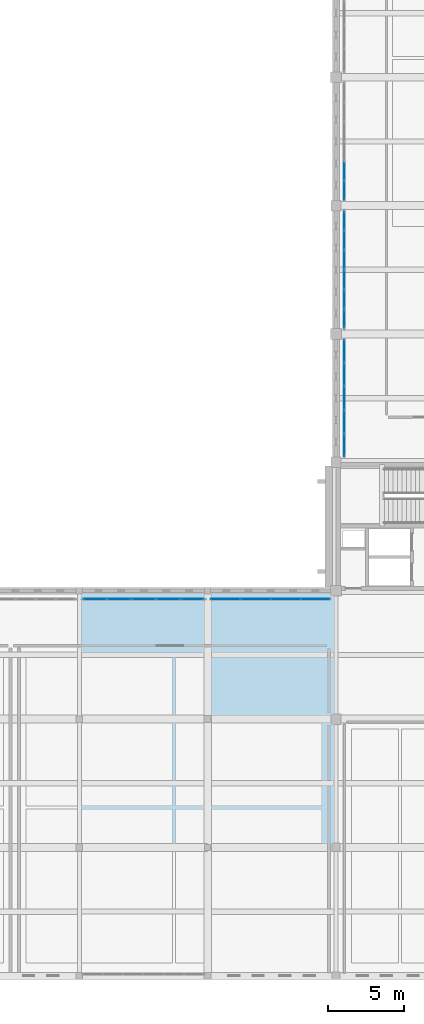
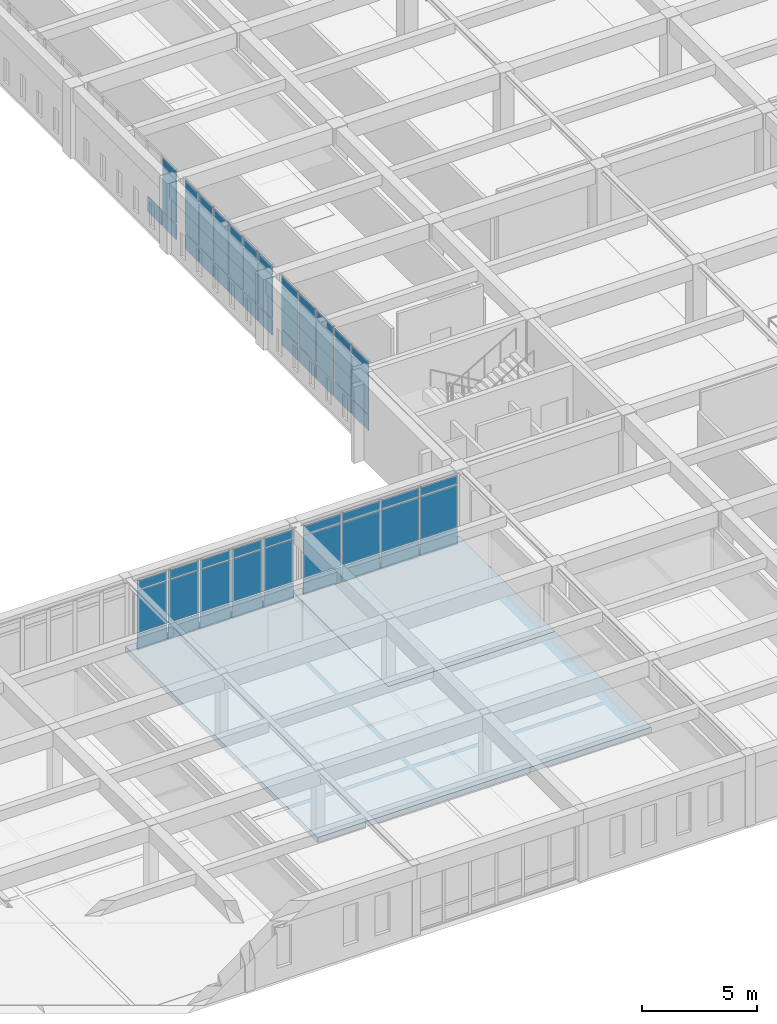
# One storey, part 56 of 110: 64 plates, 2 slabs, 5 elements without a shape of their own.
"""IFC4 building model written with IfcOpenShell, lengths in metres."""

from ifc_helpers import new_model, si_unit, direction, frame, origin, origin_2d, place, context, subcontext, project, spatial, polyline, rectangle, outline, extrude, material, layer, layer_set, type_object, element, aggregate, save


model = new_model("IFC4")

# Units and contexts
model_context = context("Model", 3, precision=1e-05, world=origin(), true_north=direction((0.0, 1.0)))
body_context = subcontext(model_context, "Body", "Model", "MODEL_VIEW")
ifc_project = project(units=[si_unit("LENGTHUNIT", "METRE"), si_unit("AREAUNIT", "SQUARE_METRE"), si_unit("VOLUMEUNIT", "CUBIC_METRE"), si_unit("PLANEANGLEUNIT", "RADIAN"), si_unit("MASSUNIT", "GRAM", prefix="KILO")], contexts=[model_context])

# Site, building, storey
site_placement = place(None, origin())
site = spatial("IfcSite", under=ifc_project, at=site_placement, CompositionType="ELEMENT")
building_placement = place(site_placement, origin())
building = spatial("IfcBuilding", under=site, at=building_placement, Name="Kveldsbrygga Polytechnic", CompositionType="ELEMENT")
storey_placement = place(building_placement, frame((0.0, 0.0, 9.860107421875)))
storey = spatial("IfcBuildingStorey", under=building, at=storey_placement, Name="L02", CompositionType="ELEMENT", Elevation=9.860107421875)

# Curtain wall, plates
ifc_material_1 = material(Name="Anodised aluminium AW-6060", Category="aluminium")
ifc_layer_1 = layer(ifc_material_1, 0.179931640625)
ifc_layer_set_1 = layer_set([ifc_layer_1], Name="Anodised aluminium AW-6060")
curtain_wall_type_1 = type_object("IfcCurtainWallType", Name="CW-LANC-D", PredefinedType="USERDEFINED", material=ifc_layer_set_1)
curtain_wall_1_placement = place(storey_placement, origin())
curtain_wall_1 = element("IfcCurtainWall", 1, at=curtain_wall_1_placement, inside=storey, type_object=curtain_wall_type_1, Name="Curtain Wall CW-L02-X-13-03", ObjectType="UNITISED CURTAIN WALL", PredefinedType="USERDEFINED")
ifc_material_2 = material(Name="Insulated triple low-E glass", Category="glass")
ifc_layer_2 = layer(ifc_material_2, 0.035888671875)
ifc_layer_set_2 = layer_set([ifc_layer_2], Name="Insulated triple low-E glass")
plate_type_1 = type_object("IfcPlateType", Name="CW-PAN-VIS36", PredefinedType="CURTAIN_PANEL", material=ifc_layer_set_2)
plate_1_placement = place(storey_placement, frame((110.229248046875, 24.64990234375, 0.059814453125), z_axis=(0.0, 0.0, 1.0), x_axis=(1.0, 0.0, 0.0)))
plate_1 = element("IfcPlate", 2, at=plate_1_placement, type_object=plate_type_1, Name="CW-04 panel 1.1", PredefinedType="CURTAIN_PANEL", context=body_context, shape_type="SweptSolid", body=[
    extrude(rectangle(XDim=1.488525390625, YDim=0.035888671875, at=origin_2d()), origin(), (0.0, 0.0, 1.0), 0.81005859375),
])
plate_2_placement = place(storey_placement, frame((110.229248046875, 24.64990234375, 0.929931640625), z_axis=(0.0, 0.0, 1.0), x_axis=(1.0, 0.0, 0.0)))
plate_2 = element("IfcPlate", 3, at=plate_2_placement, type_object=plate_type_1, Name="CW-04 panel 1.2", PredefinedType="CURTAIN_PANEL", context=body_context, shape_type="SweptSolid", body=[
    extrude(rectangle(XDim=1.488525390625, YDim=0.035888671875, at=origin_2d()), origin(), (0.0, 0.0, 1.0), 2.27001953125),
])
plate_3_placement = place(storey_placement, frame((110.229248046875, 24.64990234375, 3.260009765625), z_axis=(0.0, 0.0, 1.0), x_axis=(1.0, 0.0, 0.0)))
plate_3 = element("IfcPlate", 4, at=plate_3_placement, type_object=plate_type_1, Name="CW-04 panel 1.3", PredefinedType="CURTAIN_PANEL", context=body_context, shape_type="SweptSolid", body=[
    extrude(rectangle(XDim=1.488525390625, YDim=0.035888671875, at=origin_2d()), origin(), (0.0, 0.0, 1.0), 0.4599609375),
])
plate_4_placement = place(storey_placement, frame((111.8115234375, 24.64990234375, 0.059814453125), z_axis=(0.0, 0.0, 1.0), x_axis=(1.0, 0.0, 0.0)))
plate_4 = element("IfcPlate", 5, at=plate_4_placement, type_object=plate_type_1, Name="CW-04 panel 2.1", PredefinedType="CURTAIN_PANEL", context=body_context, shape_type="SweptSolid", body=[
    extrude(rectangle(XDim=1.52587890625, YDim=0.035888671875, at=origin_2d()), origin(), (0.0, 0.0, 1.0), 0.81005859375),
])
plate_5_placement = place(storey_placement, frame((111.8115234375, 24.64990234375, 0.929931640625), z_axis=(0.0, 0.0, 1.0), x_axis=(1.0, 0.0, 0.0)))
plate_5 = element("IfcPlate", 6, at=plate_5_placement, type_object=plate_type_1, Name="CW-04 panel 2.2", PredefinedType="CURTAIN_PANEL", context=body_context, shape_type="SweptSolid", body=[
    extrude(rectangle(XDim=1.52587890625, YDim=0.035888671875, at=origin_2d()), origin(), (0.0, 0.0, 1.0), 2.27001953125),
])
plate_6_placement = place(storey_placement, frame((111.8115234375, 24.64990234375, 3.260009765625), z_axis=(0.0, 0.0, 1.0), x_axis=(1.0, 0.0, 0.0)))
plate_6 = element("IfcPlate", 7, at=plate_6_placement, type_object=plate_type_1, Name="CW-04 panel 2.3", PredefinedType="CURTAIN_PANEL", context=body_context, shape_type="SweptSolid", body=[
    extrude(rectangle(XDim=1.52587890625, YDim=0.035888671875, at=origin_2d()), origin(), (0.0, 0.0, 1.0), 0.4599609375),
])
plate_7_placement = place(storey_placement, frame((113.41259765625, 24.64990234375, 0.059814453125), z_axis=(0.0, 0.0, 1.0), x_axis=(1.0, 0.0, 0.0)))
plate_7 = element("IfcPlate", 8, at=plate_7_placement, type_object=plate_type_1, Name="CW-04 panel 3.1", PredefinedType="CURTAIN_PANEL", context=body_context, shape_type="SweptSolid", body=[
    extrude(rectangle(XDim=1.52587890625, YDim=0.035888671875, at=origin_2d()), origin(), (0.0, 0.0, 1.0), 0.81005859375),
])
plate_8_placement = place(storey_placement, frame((113.41259765625, 24.64990234375, 0.929931640625), z_axis=(0.0, 0.0, 1.0), x_axis=(1.0, 0.0, 0.0)))
plate_8 = element("IfcPlate", 9, at=plate_8_placement, type_object=plate_type_1, Name="CW-04 panel 3.2", PredefinedType="CURTAIN_PANEL", context=body_context, shape_type="SweptSolid", body=[
    extrude(rectangle(XDim=1.52587890625, YDim=0.035888671875, at=origin_2d()), origin(), (0.0, 0.0, 1.0), 2.27001953125),
])
plate_9_placement = place(storey_placement, frame((113.41259765625, 24.64990234375, 3.260009765625), z_axis=(0.0, 0.0, 1.0), x_axis=(1.0, 0.0, 0.0)))
plate_9 = element("IfcPlate", 10, at=plate_9_placement, type_object=plate_type_1, Name="CW-04 panel 3.3", PredefinedType="CURTAIN_PANEL", context=body_context, shape_type="SweptSolid", body=[
    extrude(rectangle(XDim=1.52587890625, YDim=0.035888671875, at=origin_2d()), origin(), (0.0, 0.0, 1.0), 0.4599609375),
])
plate_10_placement = place(storey_placement, frame((115.013427734375, 24.64990234375, 0.059814453125), z_axis=(0.0, 0.0, 1.0), x_axis=(1.0, 0.0, 0.0)))
plate_10 = element("IfcPlate", 11, at=plate_10_placement, type_object=plate_type_1, Name="CW-04 panel 4.1", PredefinedType="CURTAIN_PANEL", context=body_context, shape_type="SweptSolid", body=[
    extrude(rectangle(XDim=1.52587890625, YDim=0.035888671875, at=origin_2d()), origin(), (0.0, 0.0, 1.0), 0.81005859375),
])
plate_11_placement = place(storey_placement, frame((115.013427734375, 24.64990234375, 0.929931640625), z_axis=(0.0, 0.0, 1.0), x_axis=(1.0, 0.0, 0.0)))
plate_11 = element("IfcPlate", 12, at=plate_11_placement, type_object=plate_type_1, Name="CW-04 panel 4.2", PredefinedType="CURTAIN_PANEL", context=body_context, shape_type="SweptSolid", body=[
    extrude(rectangle(XDim=1.52587890625, YDim=0.035888671875, at=origin_2d()), origin(), (0.0, 0.0, 1.0), 2.27001953125),
])
plate_12_placement = place(storey_placement, frame((115.013427734375, 24.64990234375, 3.260009765625), z_axis=(0.0, 0.0, 1.0), x_axis=(1.0, 0.0, 0.0)))
plate_12 = element("IfcPlate", 13, at=plate_12_placement, type_object=plate_type_1, Name="CW-04 panel 4.3", PredefinedType="CURTAIN_PANEL", context=body_context, shape_type="SweptSolid", body=[
    extrude(rectangle(XDim=1.52587890625, YDim=0.035888671875, at=origin_2d()), origin(), (0.0, 0.0, 1.0), 0.4599609375),
])
plate_13_placement = place(storey_placement, frame((116.595703125, 24.64990234375, 0.059814453125), z_axis=(0.0, 0.0, 1.0), x_axis=(1.0, 0.0, 0.0)))
plate_13 = element("IfcPlate", 14, at=plate_13_placement, type_object=plate_type_1, Name="CW-04 panel 5.1", PredefinedType="CURTAIN_PANEL", context=body_context, shape_type="SweptSolid", body=[
    extrude(rectangle(XDim=1.488525390625, YDim=0.035888671875, at=origin_2d()), origin(), (0.0, 0.0, 1.0), 0.81005859375),
])
plate_14_placement = place(storey_placement, frame((116.595703125, 24.64990234375, 0.929931640625), z_axis=(0.0, 0.0, 1.0), x_axis=(1.0, 0.0, 0.0)))
plate_14 = element("IfcPlate", 15, at=plate_14_placement, type_object=plate_type_1, Name="CW-04 panel 5.2", PredefinedType="CURTAIN_PANEL", context=body_context, shape_type="SweptSolid", body=[
    extrude(rectangle(XDim=1.488525390625, YDim=0.035888671875, at=origin_2d()), origin(), (0.0, 0.0, 1.0), 2.27001953125),
])
plate_15_placement = place(storey_placement, frame((116.595703125, 24.64990234375, 3.260009765625), z_axis=(0.0, 0.0, 1.0), x_axis=(1.0, 0.0, 0.0)))
plate_15 = element("IfcPlate", 16, at=plate_15_placement, type_object=plate_type_1, Name="CW-04 panel 5.3", PredefinedType="CURTAIN_PANEL", context=body_context, shape_type="SweptSolid", body=[
    extrude(rectangle(XDim=1.488525390625, YDim=0.035888671875, at=origin_2d()), origin(), (0.0, 0.0, 1.0), 0.4599609375),
])
aggregate(curtain_wall_1, [plate_1, plate_2, plate_3, plate_4, plate_5, plate_6, plate_7, plate_8, plate_9, plate_10, plate_11, plate_12, plate_13, plate_14, plate_15])

ifc_layer_3 = layer(ifc_material_1, 0.18994140625)
ifc_layer_set_3 = layer_set([ifc_layer_3], Name="Anodised aluminium AW-6060")
curtain_wall_type_2 = type_object("IfcCurtainWallType", Name="CW-REFC-G", PredefinedType="USERDEFINED", material=ifc_layer_set_3)
curtain_wall_2_placement = place(storey_placement, origin())
curtain_wall_2 = element("IfcCurtainWall", 17, at=curtain_wall_2_placement, inside=storey, type_object=curtain_wall_type_2, Name="Curtain Wall CW-L02-Y-15-04", ObjectType="UNITISED CURTAIN WALL", PredefinedType="USERDEFINED")
plate_16_placement = place(storey_placement, frame((126.550048828125, 34.7177734375, 0.059814453125), z_axis=(0.0, 0.0, 1.0), x_axis=(0.0, 1.0, 0.0)))
plate_16 = element("IfcPlate", 18, at=plate_16_placement, type_object=plate_type_1, Name="CW-07 panel 1.1", PredefinedType="CURTAIN_PANEL", context=body_context, shape_type="SweptSolid", body=[
    extrude(rectangle(XDim=1.435546875, YDim=0.035888671875, at=origin_2d()), origin(), (0.0, 0.0, 1.0), 0.81005859375),
])
plate_17_placement = place(storey_placement, frame((126.550048828125, 34.7177734375, 0.929931640625), z_axis=(0.0, 0.0, 1.0), x_axis=(0.0, 1.0, 0.0)))
plate_17 = element("IfcPlate", 19, at=plate_17_placement, type_object=plate_type_1, Name="CW-07 panel 1.2", PredefinedType="CURTAIN_PANEL", context=body_context, shape_type="SweptSolid", body=[
    extrude(rectangle(XDim=1.435546875, YDim=0.035888671875, at=origin_2d()), origin(), (0.0, 0.0, 1.0), 2.27001953125),
])
plate_18_placement = place(storey_placement, frame((126.550048828125, 34.7177734375, 3.260009765625), z_axis=(0.0, 0.0, 1.0), x_axis=(0.0, 1.0, 0.0)))
plate_18 = element("IfcPlate", 20, at=plate_18_placement, type_object=plate_type_1, Name="CW-07 panel 1.3", PredefinedType="CURTAIN_PANEL", context=body_context, shape_type="SweptSolid", body=[
    extrude(rectangle(XDim=1.435546875, YDim=0.035888671875, at=origin_2d()), origin(), (0.0, 0.0, 1.0), 0.4599609375),
])
plate_19_placement = place(storey_placement, frame((126.550048828125, 36.2470703125, 0.059814453125), z_axis=(0.0, 0.0, 1.0), x_axis=(0.0, 1.0, 0.0)))
plate_19 = element("IfcPlate", 21, at=plate_19_placement, type_object=plate_type_1, Name="CW-07 panel 2.1", PredefinedType="CURTAIN_PANEL", context=body_context, shape_type="SweptSolid", body=[
    extrude(rectangle(XDim=1.472900390625, YDim=0.035888671875, at=origin_2d()), origin(), (0.0, 0.0, 1.0), 0.81005859375),
])
plate_20_placement = place(storey_placement, frame((126.550048828125, 36.2470703125, 0.929931640625), z_axis=(0.0, 0.0, 1.0), x_axis=(0.0, 1.0, 0.0)))
plate_20 = element("IfcPlate", 22, at=plate_20_placement, type_object=plate_type_1, Name="CW-07 panel 2.2", PredefinedType="CURTAIN_PANEL", context=body_context, shape_type="SweptSolid", body=[
    extrude(rectangle(XDim=1.472900390625, YDim=0.035888671875, at=origin_2d()), origin(), (0.0, 0.0, 1.0), 2.27001953125),
])
plate_21_placement = place(storey_placement, frame((126.550048828125, 36.2470703125, 3.260009765625), z_axis=(0.0, 0.0, 1.0), x_axis=(0.0, 1.0, 0.0)))
plate_21 = element("IfcPlate", 23, at=plate_21_placement, type_object=plate_type_1, Name="CW-07 panel 2.3", PredefinedType="CURTAIN_PANEL", context=body_context, shape_type="SweptSolid", body=[
    extrude(rectangle(XDim=1.472900390625, YDim=0.035888671875, at=origin_2d()), origin(), (0.0, 0.0, 1.0), 0.4599609375),
])
plate_22_placement = place(storey_placement, frame((126.550048828125, 37.794921875, 0.059814453125), z_axis=(0.0, 0.0, 1.0), x_axis=(0.0, 1.0, 0.0)))
plate_22 = element("IfcPlate", 24, at=plate_22_placement, type_object=plate_type_1, Name="CW-07 panel 3.1", PredefinedType="CURTAIN_PANEL", context=body_context, shape_type="SweptSolid", body=[
    extrude(rectangle(XDim=1.472900390625, YDim=0.035888671875, at=origin_2d()), origin(), (0.0, 0.0, 1.0), 0.81005859375),
])
plate_23_placement = place(storey_placement, frame((126.550048828125, 37.794921875, 0.929931640625), z_axis=(0.0, 0.0, 1.0), x_axis=(0.0, 1.0, 0.0)))
plate_23 = element("IfcPlate", 25, at=plate_23_placement, type_object=plate_type_1, Name="CW-07 panel 3.2", PredefinedType="CURTAIN_PANEL", context=body_context, shape_type="SweptSolid", body=[
    extrude(rectangle(XDim=1.472900390625, YDim=0.035888671875, at=origin_2d()), origin(), (0.0, 0.0, 1.0), 2.27001953125),
])
plate_24_placement = place(storey_placement, frame((126.550048828125, 37.794921875, 3.260009765625), z_axis=(0.0, 0.0, 1.0), x_axis=(0.0, 1.0, 0.0)))
plate_24 = element("IfcPlate", 26, at=plate_24_placement, type_object=plate_type_1, Name="CW-07 panel 3.3", PredefinedType="CURTAIN_PANEL", context=body_context, shape_type="SweptSolid", body=[
    extrude(rectangle(XDim=1.472900390625, YDim=0.035888671875, at=origin_2d()), origin(), (0.0, 0.0, 1.0), 0.4599609375),
])
plate_25_placement = place(storey_placement, frame((126.550048828125, 39.343017578125, 0.059814453125), z_axis=(0.0, 0.0, 1.0), x_axis=(0.0, 1.0, 0.0)))
plate_25 = element("IfcPlate", 27, at=plate_25_placement, type_object=plate_type_1, Name="CW-07 panel 4.1", PredefinedType="CURTAIN_PANEL", context=body_context, shape_type="SweptSolid", body=[
    extrude(rectangle(XDim=1.472900390625, YDim=0.035888671875, at=origin_2d()), origin(), (0.0, 0.0, 1.0), 0.81005859375),
])
plate_26_placement = place(storey_placement, frame((126.550048828125, 39.343017578125, 0.929931640625), z_axis=(0.0, 0.0, 1.0), x_axis=(0.0, 1.0, 0.0)))
plate_26 = element("IfcPlate", 28, at=plate_26_placement, type_object=plate_type_1, Name="CW-07 panel 4.2", PredefinedType="CURTAIN_PANEL", context=body_context, shape_type="SweptSolid", body=[
    extrude(rectangle(XDim=1.472900390625, YDim=0.035888671875, at=origin_2d()), origin(), (0.0, 0.0, 1.0), 2.27001953125),
])
plate_27_placement = place(storey_placement, frame((126.550048828125, 39.343017578125, 3.260009765625), z_axis=(0.0, 0.0, 1.0), x_axis=(0.0, 1.0, 0.0)))
plate_27 = element("IfcPlate", 29, at=plate_27_placement, type_object=plate_type_1, Name="CW-07 panel 4.3", PredefinedType="CURTAIN_PANEL", context=body_context, shape_type="SweptSolid", body=[
    extrude(rectangle(XDim=1.472900390625, YDim=0.035888671875, at=origin_2d()), origin(), (0.0, 0.0, 1.0), 0.4599609375),
])
plate_28_placement = place(storey_placement, frame((126.550048828125, 40.872314453125, 0.059814453125), z_axis=(0.0, 0.0, 1.0), x_axis=(0.0, 1.0, 0.0)))
plate_28 = element("IfcPlate", 30, at=plate_28_placement, type_object=plate_type_1, Name="CW-07 panel 5.1", PredefinedType="CURTAIN_PANEL", context=body_context, shape_type="SweptSolid", body=[
    extrude(rectangle(XDim=1.435546875, YDim=0.035888671875, at=origin_2d()), origin(), (0.0, 0.0, 1.0), 0.81005859375),
])
plate_29_placement = place(storey_placement, frame((126.550048828125, 40.872314453125, 0.929931640625), z_axis=(0.0, 0.0, 1.0), x_axis=(0.0, 1.0, 0.0)))
plate_29 = element("IfcPlate", 31, at=plate_29_placement, type_object=plate_type_1, Name="CW-07 panel 5.2", PredefinedType="CURTAIN_PANEL", context=body_context, shape_type="SweptSolid", body=[
    extrude(rectangle(XDim=1.435546875, YDim=0.035888671875, at=origin_2d()), origin(), (0.0, 0.0, 1.0), 2.27001953125),
])
plate_30_placement = place(storey_placement, frame((126.550048828125, 40.872314453125, 3.260009765625), z_axis=(0.0, 0.0, 1.0), x_axis=(0.0, 1.0, 0.0)))
plate_30 = element("IfcPlate", 32, at=plate_30_placement, type_object=plate_type_1, Name="CW-07 panel 5.3", PredefinedType="CURTAIN_PANEL", context=body_context, shape_type="SweptSolid", body=[
    extrude(rectangle(XDim=1.435546875, YDim=0.035888671875, at=origin_2d()), origin(), (0.0, 0.0, 1.0), 0.4599609375),
])
aggregate(curtain_wall_2, [plate_16, plate_17, plate_18, plate_19, plate_20, plate_21, plate_22, plate_23, plate_24, plate_25, plate_26, plate_27, plate_28, plate_29, plate_30])

ifc_layer_4 = layer(ifc_material_1, 0.179931640625)
ifc_layer_set_4 = layer_set([ifc_layer_4], Name="Anodised aluminium AW-6060")
curtain_wall_type_3 = type_object("IfcCurtainWallType", Name="CW-CONC-A", PredefinedType="USERDEFINED", material=ifc_layer_set_4)
curtain_wall_3_placement = place(storey_placement, origin())
curtain_wall_3 = element("IfcCurtainWall", 33, at=curtain_wall_3_placement, inside=storey, type_object=curtain_wall_type_3, Name="Curtain Wall CW-L02-Y-15-06", ObjectType="UNITISED CURTAIN WALL", PredefinedType="USERDEFINED")
plate_31_placement = place(storey_placement, frame((126.550048828125, 51.385009765625, 0.059814453125), z_axis=(0.0, 0.0, 1.0), x_axis=(0.0, 1.0, 0.0)))
plate_31 = element("IfcPlate", 34, at=plate_31_placement, type_object=plate_type_1, Name="CW-01 panel 1.1", PredefinedType="CURTAIN_PANEL", context=body_context, shape_type="SweptSolid", body=[
    extrude(rectangle(XDim=1.199951171875, YDim=0.035888671875, at=origin_2d()), origin(), (0.0, 0.0, 1.0), 0.81005859375),
])
plate_32_placement = place(storey_placement, frame((126.550048828125, 51.385009765625, 0.929931640625), z_axis=(0.0, 0.0, 1.0), x_axis=(0.0, 1.0, 0.0)))
plate_32 = element("IfcPlate", 35, at=plate_32_placement, type_object=plate_type_1, Name="CW-01 panel 1.2", PredefinedType="CURTAIN_PANEL", context=body_context, shape_type="SweptSolid", body=[
    extrude(rectangle(XDim=1.199951171875, YDim=0.035888671875, at=origin_2d()), origin(), (0.0, 0.0, 1.0), 2.27001953125),
])
plate_33_placement = place(storey_placement, frame((126.550048828125, 51.385009765625, 3.260009765625), z_axis=(0.0, 0.0, 1.0), x_axis=(0.0, 1.0, 0.0)))
plate_33 = element("IfcPlate", 36, at=plate_33_placement, type_object=plate_type_1, Name="CW-01 panel 1.3", PredefinedType="CURTAIN_PANEL", context=body_context, shape_type="SweptSolid", body=[
    extrude(rectangle(XDim=1.199951171875, YDim=0.035888671875, at=origin_2d()), origin(), (0.0, 0.0, 1.0), 0.4599609375),
])
plate_34_placement = place(storey_placement, frame((126.550048828125, 52.659912109375, 0.059814453125), z_axis=(0.0, 0.0, 1.0), x_axis=(0.0, 1.0, 0.0)))
plate_34 = element("IfcPlate", 37, at=plate_34_placement, type_object=plate_type_1, Name="CW-01 panel 2.1", PredefinedType="CURTAIN_PANEL", context=body_context, shape_type="SweptSolid", body=[
    extrude(rectangle(XDim=1.22998046875, YDim=0.035888671875, at=origin_2d()), origin(), (0.0, 0.0, 1.0), 0.81005859375),
])
aggregate(curtain_wall_3, [plate_31, plate_32, plate_33, plate_34])

ifc_layer_5 = layer(ifc_material_1, 0.199951171875)
ifc_layer_set_5 = layer_set([ifc_layer_5], Name="Anodised aluminium AW-6060")
curtain_wall_type_4 = type_object("IfcCurtainWallType", Name="CW-LANC-E", PredefinedType="USERDEFINED", material=ifc_layer_set_5)
curtain_wall_4_placement = place(storey_placement, origin())
curtain_wall_4 = element("IfcCurtainWall", 38, at=curtain_wall_4_placement, inside=storey, type_object=curtain_wall_type_4, Name="Curtain Wall CW-L02-X-14-03", ObjectType="UNITISED CURTAIN WALL", PredefinedType="USERDEFINED")
ifc_layer_6 = layer(ifc_material_2, 0.0419921875)
ifc_layer_set_6 = layer_set([ifc_layer_6], Name="Insulated triple low-E glass")
plate_type_2 = type_object("IfcPlateType", Name="CW-PAN-VIS42", PredefinedType="CURTAIN_PANEL", material=ifc_layer_set_6)
plate_35_placement = place(storey_placement, frame((118.784912109375, 24.64990234375, 0.059814453125), z_axis=(0.0, 0.0, 1.0), x_axis=(1.0, 0.0, 0.0)))
plate_35 = element("IfcPlate", 39, at=plate_35_placement, type_object=plate_type_2, Name="CW-05 panel 1.1", PredefinedType="CURTAIN_PANEL", context=body_context, shape_type="SweptSolid", body=[
    extrude(rectangle(XDim=1.8798828125, YDim=0.0419921875, at=origin_2d()), origin(), (0.0, 0.0, 1.0), 0.81005859375),
])
plate_36_placement = place(storey_placement, frame((118.784912109375, 24.64990234375, 0.929931640625), z_axis=(0.0, 0.0, 1.0), x_axis=(1.0, 0.0, 0.0)))
plate_36 = element("IfcPlate", 40, at=plate_36_placement, type_object=plate_type_2, Name="CW-05 panel 1.2", PredefinedType="CURTAIN_PANEL", context=body_context, shape_type="SweptSolid", body=[
    extrude(rectangle(XDim=1.8798828125, YDim=0.0419921875, at=origin_2d()), origin(), (0.0, 0.0, 1.0), 2.27001953125),
])
plate_37_placement = place(storey_placement, frame((118.784912109375, 24.64990234375, 3.260009765625), z_axis=(0.0, 0.0, 1.0), x_axis=(1.0, 0.0, 0.0)))
plate_37 = element("IfcPlate", 41, at=plate_37_placement, type_object=plate_type_2, Name="CW-05 panel 1.3", PredefinedType="CURTAIN_PANEL", context=body_context, shape_type="SweptSolid", body=[
    extrude(rectangle(XDim=1.8798828125, YDim=0.0419921875, at=origin_2d()), origin(), (0.0, 0.0, 1.0), 0.4599609375),
])
plate_38_placement = place(storey_placement, frame((120.739990234375, 24.64990234375, 0.059814453125), z_axis=(0.0, 0.0, 1.0), x_axis=(1.0, 0.0, 0.0)))
plate_38 = element("IfcPlate", 42, at=plate_38_placement, type_object=plate_type_2, Name="CW-05 panel 2.1", PredefinedType="CURTAIN_PANEL", context=body_context, shape_type="SweptSolid", body=[
    extrude(rectangle(XDim=1.909912109375, YDim=0.0419921875, at=origin_2d()), origin(), (0.0, 0.0, 1.0), 0.81005859375),
])
plate_39_placement = place(storey_placement, frame((120.739990234375, 24.64990234375, 0.929931640625), z_axis=(0.0, 0.0, 1.0), x_axis=(1.0, 0.0, 0.0)))
plate_39 = element("IfcPlate", 43, at=plate_39_placement, type_object=plate_type_2, Name="CW-05 panel 2.2", PredefinedType="CURTAIN_PANEL", context=body_context, shape_type="SweptSolid", body=[
    extrude(rectangle(XDim=1.909912109375, YDim=0.0419921875, at=origin_2d()), origin(), (0.0, 0.0, 1.0), 2.27001953125),
])
plate_40_placement = place(storey_placement, frame((120.739990234375, 24.64990234375, 3.260009765625), z_axis=(0.0, 0.0, 1.0), x_axis=(1.0, 0.0, 0.0)))
plate_40 = element("IfcPlate", 44, at=plate_40_placement, type_object=plate_type_2, Name="CW-05 panel 2.3", PredefinedType="CURTAIN_PANEL", context=body_context, shape_type="SweptSolid", body=[
    extrude(rectangle(XDim=1.909912109375, YDim=0.0419921875, at=origin_2d()), origin(), (0.0, 0.0, 1.0), 0.4599609375),
])
plate_41_placement = place(storey_placement, frame((122.7099609375, 24.64990234375, 0.059814453125), z_axis=(0.0, 0.0, 1.0), x_axis=(1.0, 0.0, 0.0)))
plate_41 = element("IfcPlate", 45, at=plate_41_placement, type_object=plate_type_2, Name="CW-05 panel 3.1", PredefinedType="CURTAIN_PANEL", context=body_context, shape_type="SweptSolid", body=[
    extrude(rectangle(XDim=1.909912109375, YDim=0.0419921875, at=origin_2d()), origin(), (0.0, 0.0, 1.0), 0.81005859375),
])
plate_42_placement = place(storey_placement, frame((122.7099609375, 24.64990234375, 0.929931640625), z_axis=(0.0, 0.0, 1.0), x_axis=(1.0, 0.0, 0.0)))
plate_42 = element("IfcPlate", 46, at=plate_42_placement, type_object=plate_type_2, Name="CW-05 panel 3.2", PredefinedType="CURTAIN_PANEL", context=body_context, shape_type="SweptSolid", body=[
    extrude(rectangle(XDim=1.909912109375, YDim=0.0419921875, at=origin_2d()), origin(), (0.0, 0.0, 1.0), 2.27001953125),
])
plate_43_placement = place(storey_placement, frame((122.7099609375, 24.64990234375, 3.260009765625), z_axis=(0.0, 0.0, 1.0), x_axis=(1.0, 0.0, 0.0)))
plate_43 = element("IfcPlate", 47, at=plate_43_placement, type_object=plate_type_2, Name="CW-05 panel 3.3", PredefinedType="CURTAIN_PANEL", context=body_context, shape_type="SweptSolid", body=[
    extrude(rectangle(XDim=1.909912109375, YDim=0.0419921875, at=origin_2d()), origin(), (0.0, 0.0, 1.0), 0.4599609375),
])
plate_44_placement = place(storey_placement, frame((124.6650390625, 24.64990234375, 0.059814453125), z_axis=(0.0, 0.0, 1.0), x_axis=(1.0, 0.0, 0.0)))
plate_44 = element("IfcPlate", 48, at=plate_44_placement, type_object=plate_type_2, Name="CW-05 panel 4.1", PredefinedType="CURTAIN_PANEL", context=body_context, shape_type="SweptSolid", body=[
    extrude(rectangle(XDim=1.8798828125, YDim=0.0419921875, at=origin_2d()), origin(), (0.0, 0.0, 1.0), 0.81005859375),
])
plate_45_placement = place(storey_placement, frame((124.6650390625, 24.64990234375, 0.929931640625), z_axis=(0.0, 0.0, 1.0), x_axis=(1.0, 0.0, 0.0)))
plate_45 = element("IfcPlate", 49, at=plate_45_placement, type_object=plate_type_2, Name="CW-05 panel 4.2", PredefinedType="CURTAIN_PANEL", context=body_context, shape_type="SweptSolid", body=[
    extrude(rectangle(XDim=1.8798828125, YDim=0.0419921875, at=origin_2d()), origin(), (0.0, 0.0, 1.0), 2.27001953125),
])
plate_46_placement = place(storey_placement, frame((124.6650390625, 24.64990234375, 3.260009765625), z_axis=(0.0, 0.0, 1.0), x_axis=(1.0, 0.0, 0.0)))
plate_46 = element("IfcPlate", 50, at=plate_46_placement, type_object=plate_type_2, Name="CW-05 panel 4.3", PredefinedType="CURTAIN_PANEL", context=body_context, shape_type="SweptSolid", body=[
    extrude(rectangle(XDim=1.8798828125, YDim=0.0419921875, at=origin_2d()), origin(), (0.0, 0.0, 1.0), 0.4599609375),
])
aggregate(curtain_wall_4, [plate_35, plate_36, plate_37, plate_38, plate_39, plate_40, plate_41, plate_42, plate_43, plate_44, plate_45, plate_46])

ifc_layer_7 = layer(ifc_material_1, 0.2099609375)
ifc_layer_set_7 = layer_set([ifc_layer_7], Name="Anodised aluminium AW-6060")
curtain_wall_type_5 = type_object("IfcCurtainWallType", Name="CW-LIBR-H", PredefinedType="USERDEFINED", material=ifc_layer_set_7)
curtain_wall_5_placement = place(storey_placement, origin())
curtain_wall_5 = element("IfcCurtainWall", 51, at=curtain_wall_5_placement, inside=storey, type_object=curtain_wall_type_5, Name="Curtain Wall CW-L02-Y-15-05", ObjectType="UNITISED CURTAIN WALL", PredefinedType="USERDEFINED")
plate_47_placement = place(storey_placement, frame((126.550048828125, 42.998779296875, 0.059814453125), z_axis=(0.0, 0.0, 1.0), x_axis=(0.0, 1.0, 0.0)))
plate_47 = element("IfcPlate", 52, at=plate_47_placement, type_object=plate_type_2, Name="CW-08 panel 1.1", PredefinedType="CURTAIN_PANEL", context=body_context, shape_type="SweptSolid", body=[
    extrude(rectangle(XDim=1.177490234375, YDim=0.0419921875, at=origin_2d()), origin(), (0.0, 0.0, 1.0), 0.81005859375),
])
plate_48_placement = place(storey_placement, frame((126.550048828125, 42.998779296875, 0.929931640625), z_axis=(0.0, 0.0, 1.0), x_axis=(0.0, 1.0, 0.0)))
plate_48 = element("IfcPlate", 53, at=plate_48_placement, type_object=plate_type_2, Name="CW-08 panel 1.2", PredefinedType="CURTAIN_PANEL", context=body_context, shape_type="SweptSolid", body=[
    extrude(rectangle(XDim=1.177490234375, YDim=0.0419921875, at=origin_2d()), origin(), (0.0, 0.0, 1.0), 2.27001953125),
])
plate_49_placement = place(storey_placement, frame((126.550048828125, 42.998779296875, 3.260009765625), z_axis=(0.0, 0.0, 1.0), x_axis=(0.0, 1.0, 0.0)))
plate_49 = element("IfcPlate", 54, at=plate_49_placement, type_object=plate_type_2, Name="CW-08 panel 1.3", PredefinedType="CURTAIN_PANEL", context=body_context, shape_type="SweptSolid", body=[
    extrude(rectangle(XDim=1.177490234375, YDim=0.0419921875, at=origin_2d()), origin(), (0.0, 0.0, 1.0), 0.4599609375),
])
plate_50_placement = place(storey_placement, frame((126.550048828125, 44.27001953125, 0.059814453125), z_axis=(0.0, 0.0, 1.0), x_axis=(0.0, 1.0, 0.0)))
plate_50 = element("IfcPlate", 55, at=plate_50_placement, type_object=plate_type_2, Name="CW-08 panel 2.1", PredefinedType="CURTAIN_PANEL", context=body_context, shape_type="SweptSolid", body=[
    extrude(rectangle(XDim=1.215087890625, YDim=0.0419921875, at=origin_2d()), origin(), (0.0, 0.0, 1.0), 0.81005859375),
])
plate_51_placement = place(storey_placement, frame((126.550048828125, 44.27001953125, 0.929931640625), z_axis=(0.0, 0.0, 1.0), x_axis=(0.0, 1.0, 0.0)))
plate_51 = element("IfcPlate", 56, at=plate_51_placement, type_object=plate_type_2, Name="CW-08 panel 2.2", PredefinedType="CURTAIN_PANEL", context=body_context, shape_type="SweptSolid", body=[
    extrude(rectangle(XDim=1.215087890625, YDim=0.0419921875, at=origin_2d()), origin(), (0.0, 0.0, 1.0), 2.27001953125),
])
plate_52_placement = place(storey_placement, frame((126.550048828125, 44.27001953125, 3.260009765625), z_axis=(0.0, 0.0, 1.0), x_axis=(0.0, 1.0, 0.0)))
plate_52 = element("IfcPlate", 57, at=plate_52_placement, type_object=plate_type_2, Name="CW-08 panel 2.3", PredefinedType="CURTAIN_PANEL", context=body_context, shape_type="SweptSolid", body=[
    extrude(rectangle(XDim=1.215087890625, YDim=0.0419921875, at=origin_2d()), origin(), (0.0, 0.0, 1.0), 0.4599609375),
])
plate_53_placement = place(storey_placement, frame((126.550048828125, 45.56005859375, 0.059814453125), z_axis=(0.0, 0.0, 1.0), x_axis=(0.0, 1.0, 0.0)))
plate_53 = element("IfcPlate", 58, at=plate_53_placement, type_object=plate_type_2, Name="CW-08 panel 3.1", PredefinedType="CURTAIN_PANEL", context=body_context, shape_type="SweptSolid", body=[
    extrude(rectangle(XDim=1.215087890625, YDim=0.0419921875, at=origin_2d()), origin(), (0.0, 0.0, 1.0), 0.81005859375),
])
plate_54_placement = place(storey_placement, frame((126.550048828125, 45.56005859375, 0.929931640625), z_axis=(0.0, 0.0, 1.0), x_axis=(0.0, 1.0, 0.0)))
plate_54 = element("IfcPlate", 59, at=plate_54_placement, type_object=plate_type_2, Name="CW-08 panel 3.2", PredefinedType="CURTAIN_PANEL", context=body_context, shape_type="SweptSolid", body=[
    extrude(rectangle(XDim=1.215087890625, YDim=0.0419921875, at=origin_2d()), origin(), (0.0, 0.0, 1.0), 2.27001953125),
])
plate_55_placement = place(storey_placement, frame((126.550048828125, 45.56005859375, 3.260009765625), z_axis=(0.0, 0.0, 1.0), x_axis=(0.0, 1.0, 0.0)))
plate_55 = element("IfcPlate", 60, at=plate_55_placement, type_object=plate_type_2, Name="CW-08 panel 3.3", PredefinedType="CURTAIN_PANEL", context=body_context, shape_type="SweptSolid", body=[
    extrude(rectangle(XDim=1.215087890625, YDim=0.0419921875, at=origin_2d()), origin(), (0.0, 0.0, 1.0), 0.4599609375),
])
plate_56_placement = place(storey_placement, frame((126.550048828125, 46.85009765625, 0.059814453125), z_axis=(0.0, 0.0, 1.0), x_axis=(0.0, 1.0, 0.0)))
plate_56 = element("IfcPlate", 61, at=plate_56_placement, type_object=plate_type_2, Name="CW-08 panel 4.1", PredefinedType="CURTAIN_PANEL", context=body_context, shape_type="SweptSolid", body=[
    extrude(rectangle(XDim=1.215087890625, YDim=0.0419921875, at=origin_2d()), origin(), (0.0, 0.0, 1.0), 0.81005859375),
])
plate_57_placement = place(storey_placement, frame((126.550048828125, 46.85009765625, 0.929931640625), z_axis=(0.0, 0.0, 1.0), x_axis=(0.0, 1.0, 0.0)))
plate_57 = element("IfcPlate", 62, at=plate_57_placement, type_object=plate_type_2, Name="CW-08 panel 4.2", PredefinedType="CURTAIN_PANEL", context=body_context, shape_type="SweptSolid", body=[
    extrude(rectangle(XDim=1.215087890625, YDim=0.0419921875, at=origin_2d()), origin(), (0.0, 0.0, 1.0), 2.27001953125),
])
plate_58_placement = place(storey_placement, frame((126.550048828125, 46.85009765625, 3.260009765625), z_axis=(0.0, 0.0, 1.0), x_axis=(0.0, 1.0, 0.0)))
plate_58 = element("IfcPlate", 63, at=plate_58_placement, type_object=plate_type_2, Name="CW-08 panel 4.3", PredefinedType="CURTAIN_PANEL", context=body_context, shape_type="SweptSolid", body=[
    extrude(rectangle(XDim=1.215087890625, YDim=0.0419921875, at=origin_2d()), origin(), (0.0, 0.0, 1.0), 0.4599609375),
])
plate_59_placement = place(storey_placement, frame((126.550048828125, 48.139892578125, 0.059814453125), z_axis=(0.0, 0.0, 1.0), x_axis=(0.0, 1.0, 0.0)))
plate_59 = element("IfcPlate", 64, at=plate_59_placement, type_object=plate_type_2, Name="CW-08 panel 5.1", PredefinedType="CURTAIN_PANEL", context=body_context, shape_type="SweptSolid", body=[
    extrude(rectangle(XDim=1.215087890625, YDim=0.0419921875, at=origin_2d()), origin(), (0.0, 0.0, 1.0), 0.81005859375),
])
plate_60_placement = place(storey_placement, frame((126.550048828125, 48.139892578125, 0.929931640625), z_axis=(0.0, 0.0, 1.0), x_axis=(0.0, 1.0, 0.0)))
plate_60 = element("IfcPlate", 65, at=plate_60_placement, type_object=plate_type_2, Name="CW-08 panel 5.2", PredefinedType="CURTAIN_PANEL", context=body_context, shape_type="SweptSolid", body=[
    extrude(rectangle(XDim=1.215087890625, YDim=0.0419921875, at=origin_2d()), origin(), (0.0, 0.0, 1.0), 2.27001953125),
])
plate_61_placement = place(storey_placement, frame((126.550048828125, 48.139892578125, 3.260009765625), z_axis=(0.0, 0.0, 1.0), x_axis=(0.0, 1.0, 0.0)))
plate_61 = element("IfcPlate", 66, at=plate_61_placement, type_object=plate_type_2, Name="CW-08 panel 5.3", PredefinedType="CURTAIN_PANEL", context=body_context, shape_type="SweptSolid", body=[
    extrude(rectangle(XDim=1.215087890625, YDim=0.0419921875, at=origin_2d()), origin(), (0.0, 0.0, 1.0), 0.4599609375),
])
plate_62_placement = place(storey_placement, frame((126.550048828125, 49.4111328125, 0.059814453125), z_axis=(0.0, 0.0, 1.0), x_axis=(0.0, 1.0, 0.0)))
plate_62 = element("IfcPlate", 67, at=plate_62_placement, type_object=plate_type_2, Name="CW-08 panel 6.1", PredefinedType="CURTAIN_PANEL", context=body_context, shape_type="SweptSolid", body=[
    extrude(rectangle(XDim=1.177490234375, YDim=0.0419921875, at=origin_2d()), origin(), (0.0, 0.0, 1.0), 0.81005859375),
])
plate_63_placement = place(storey_placement, frame((126.550048828125, 49.4111328125, 0.929931640625), z_axis=(0.0, 0.0, 1.0), x_axis=(0.0, 1.0, 0.0)))
plate_63 = element("IfcPlate", 68, at=plate_63_placement, type_object=plate_type_2, Name="CW-08 panel 6.2", PredefinedType="CURTAIN_PANEL", context=body_context, shape_type="SweptSolid", body=[
    extrude(rectangle(XDim=1.177490234375, YDim=0.0419921875, at=origin_2d()), origin(), (0.0, 0.0, 1.0), 2.27001953125),
])
plate_64_placement = place(storey_placement, frame((126.550048828125, 49.4111328125, 3.260009765625), z_axis=(0.0, 0.0, 1.0), x_axis=(0.0, 1.0, 0.0)))
plate_64 = element("IfcPlate", 69, at=plate_64_placement, type_object=plate_type_2, Name="CW-08 panel 6.3", PredefinedType="CURTAIN_PANEL", context=body_context, shape_type="SweptSolid", body=[
    extrude(rectangle(XDim=1.177490234375, YDim=0.0419921875, at=origin_2d()), origin(), (0.0, 0.0, 1.0), 0.4599609375),
])
aggregate(curtain_wall_5, [plate_47, plate_48, plate_49, plate_50, plate_51, plate_52, plate_53, plate_54, plate_55, plate_56, plate_57, plate_58, plate_59, plate_60, plate_61, plate_62, plate_63, plate_64])

# Slabs
ifc_material_3 = material(Name="Concrete C35/45", Category="concrete")
ifc_layer_8 = layer(ifc_material_3, 0.280029296875)
ifc_layer_set_8 = layer_set([ifc_layer_8], Name="Concrete C35/45")
slab_type = type_object("IfcSlabType", Name="SLB-STD-280", PredefinedType="FLOOR", material=ifc_layer_set_8)
slab_1_placement = place(storey_placement, frame((0.0, 0.0, -0.280029296875)))
element("IfcSlab", 70, at=slab_1_placement, inside=storey, type_object=slab_type, Name="Slab SLB-L02-V3-L04-1", PredefinedType="FLOOR", context=body_context, shape_type="SweptSolid", body=[
    extrude(outline(polyline([(109.199951171875, 8.39990234375), (109.199951171875, 16.800048828125), (109.199951171875, 25.199951171875), (117.60009765625, 25.199951171875), (117.60009765625, 16.800048828125), (126.0, 16.800048828125), (126.0, 8.39990234375), (117.60009765625, 8.39990234375), (109.199951171875, 8.39990234375)])), origin(), (0.0, 0.0, 1.0), 0.280029296875),
])
slab_2_placement = place(storey_placement, frame((0.0, 0.0, -0.280029296875)))
element("IfcSlab", 71, at=slab_2_placement, inside=storey, type_object=slab_type, Name="Slab SLB-L02-V3-Z3-2", PredefinedType="FLOOR", context=body_context, shape_type="SweptSolid", body=[
    extrude(outline(polyline([(117.60009765625, 16.800048828125), (117.60009765625, 25.199951171875), (126.0, 25.199951171875), (126.0, 16.800048828125), (117.60009765625, 16.800048828125)])), origin(), (0.0, 0.0, 1.0), 0.280029296875),
])

save(model, "model.ifc")
